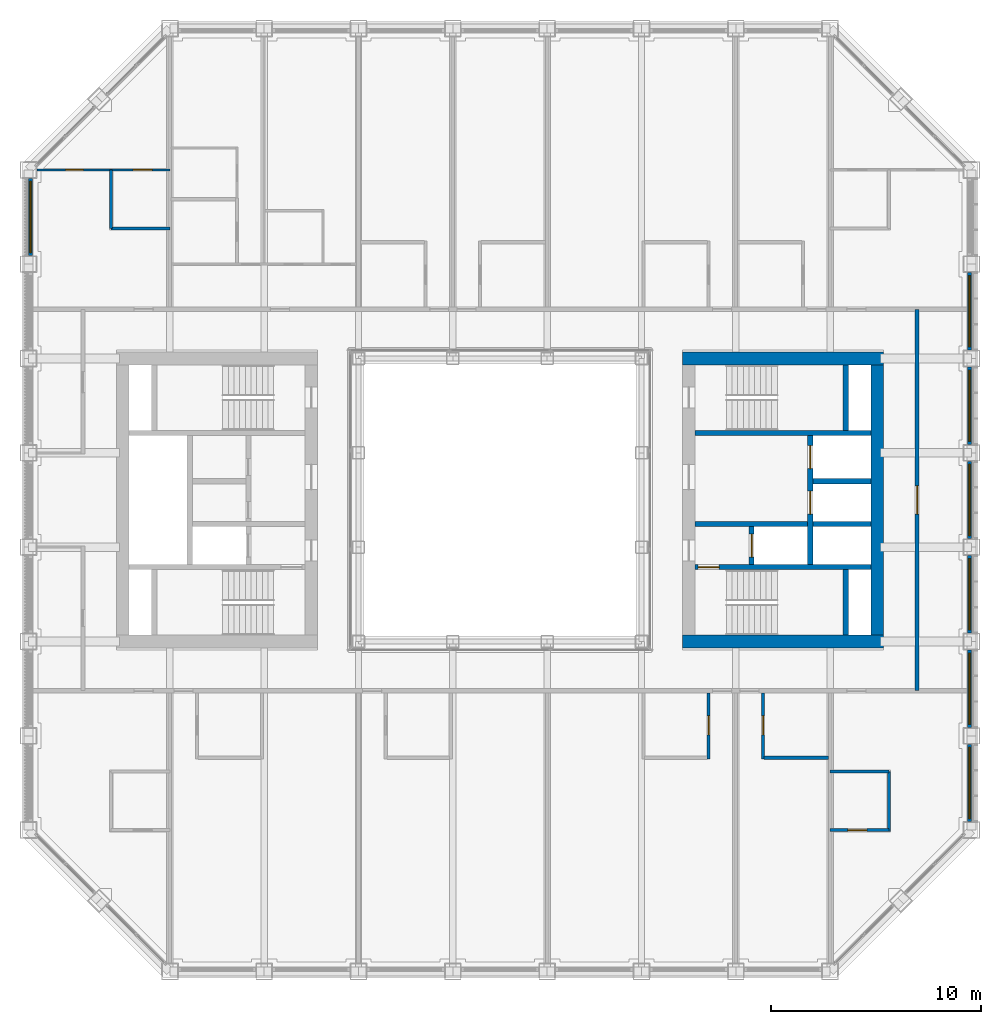
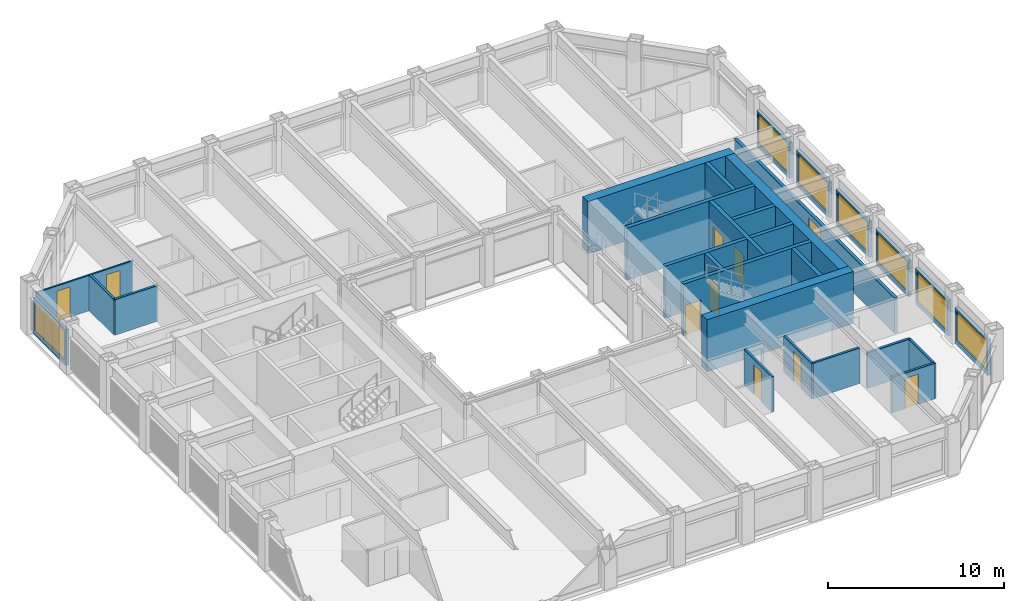
# One storey, part 12 of 17: 29 walls, 10 doors, 7 windows, 17 openings.
"""IFC4 building model written with IfcOpenShell, lengths in metres."""

from ifc_helpers import new_model, si_unit, direction, frame, frame_2d, origin, place, context, subcontext, project, spatial, rectangle, extrude, material, layer, layer_set, type_object, element, fill, save


model = new_model("IFC4")

# Units and contexts
model_context = context("Model", 3, precision=1e-05, world=origin(), true_north=direction((0.0, 1.0)))
body_context = subcontext(model_context, "Body", "Model", "MODEL_VIEW")
ifc_project = project(units=[si_unit("LENGTHUNIT", "METRE"), si_unit("AREAUNIT", "SQUARE_METRE"), si_unit("VOLUMEUNIT", "CUBIC_METRE"), si_unit("PLANEANGLEUNIT", "RADIAN"), si_unit("MASSUNIT", "GRAM", prefix="KILO")], contexts=[model_context])

# Site, building, storey
site_placement = place(None, origin())
site = spatial("IfcSite", under=ifc_project, at=site_placement, CompositionType="ELEMENT")
building_placement = place(site_placement, origin())
building = spatial("IfcBuilding", under=site, at=building_placement, Name="Msasa Ring Tower", CompositionType="ELEMENT")
storey_placement = place(building_placement, frame((0.0, 0.0, 172.39990234375)))
storey = spatial("IfcBuildingStorey", under=building, at=storey_placement, Name="L45", CompositionType="ELEMENT", Elevation=172.39990234375)

# Walls
ifc_material_1 = material(Name="Concrete C60/75", Category="concrete")
ifc_layer_1 = layer(ifc_material_1, 0.60009765625)
ifc_layer_set_1 = layer_set([ifc_layer_1], Name="CW2 CORE WALL 600")
wall_type_1 = type_object("IfcWallType", Name="CW2 CORE WALL 600", PredefinedType="SHEAR", material=ifc_layer_set_1)
for number, where, z_axis, x_axis, name in (
    (1, (8.699951171875, -6.75, 0.0), (0.0, 0.0, 1.0), (1.0, 0.0, 0.0), "E core wall S L45"),
    (2, (8.699951171875, 6.75, 0.0), (0.0, 0.0, 1.0), (1.0, 0.0, 0.0), "E core wall N L45"),
):
    element("IfcWall", number, at=place(storey_placement, frame(where, z_axis=z_axis, x_axis=x_axis)), inside=storey, type_object=wall_type_1, Name=name, PredefinedType="SHEAR", context=body_context, shape_type="SweptSolid", body=[
        extrude(rectangle(XDim=9.60009765625, YDim=0.60009765625, at=frame_2d((4.800048828125, 0.0))), origin(), (0.0, 0.0, 1.0), 3.60009765625),
    ])
wall_1_placement = place(storey_placement, frame((18.0, -6.449951171875, 0.0), z_axis=(0.0, 0.0, 1.0), x_axis=(0.0, 1.0, 0.0)))
element("IfcWall", 3, at=wall_1_placement, inside=storey, type_object=wall_type_1, Name="E core wall E L45", PredefinedType="SHEAR", context=body_context, shape_type="SweptSolid", body=[
    extrude(rectangle(XDim=12.89990234375, YDim=0.60009765625, at=frame_2d((6.449951171875, 0.0))), origin(), (0.0, 0.0, 1.0), 3.60009765625),
])

# Wall, opening, door
ifc_material_2 = material(Name="Concrete C60/75", Category="concrete")
ifc_layer_2 = layer(ifc_material_2, 0.25)
ifc_layer_set_2 = layer_set([ifc_layer_2], Name="CW4 CORE INNER WALL 250")
wall_type_2 = type_object("IfcWallType", Name="CW4 CORE INNER WALL 250", PredefinedType="SHEAR", material=ifc_layer_set_2)
wall_2_placement = place(storey_placement, frame((9.300048828125, -3.199951171875, 0.0), z_axis=(0.0, 0.0, 1.0), x_axis=(1.0, 0.0, 0.0)))
wall_2 = element("IfcWall", 4, at=wall_2_placement, inside=storey, type_object=wall_type_2, Name="E core wall STAIRA L45", PredefinedType="SHEAR", context=body_context, shape_type="SweptSolid", body=[
    extrude(rectangle(XDim=8.39990234375, YDim=0.25, at=frame_2d((4.199951171875, 0.0))), origin(), (0.0, 0.0, 1.0), 3.60009765625),
])
opening_1_placement = place(wall_2_placement, frame((0.14990234375, 0.0, 0.0)))
opening_1 = element("IfcOpeningElement", 5, at=opening_1_placement, cuts=wall_2, Name="Opening HF-032", PredefinedType="OPENING", context=body_context, shape_type="SweptSolid", body=[
    extrude(rectangle(XDim=1.0, YDim=2.10009765625, at=frame_2d((0.5, 1.050048828125))), frame((0.0, 0.135009765625, 0.0), z_axis=(0.0, -1.0, 0.0), x_axis=(1.0, 0.0, 0.0)), (0.0, 0.0, 1.0), 0.27001953125),
])
ifc_material_3 = material(Name="Timber door leaf in a steel frame", Category="steel")
door_type_1 = type_object("IfcDoorType", Name="D6 STAIR DOOR 1000x2100", OperationType="SINGLE_SWING_LEFT", PredefinedType="DOOR", material=ifc_material_3)
door_1_placement = place(opening_1_placement, origin())
door_1 = element("IfcDoor", 6, at=door_1_placement, inside=storey, type_object=door_type_1, Name="Door L45-ESTA", OperationType="SINGLE_SWING_LEFT", OverallHeight=2.10009765625, OverallWidth=1.0, PredefinedType="DOOR", context=body_context, shape_type="SweptSolid", body=[
    extrude(rectangle(XDim=1.0, YDim=2.10009765625, at=frame_2d((0.5, 1.050048828125))), frame((0.0, 0.02490234375, 0.0), z_axis=(0.0, -1.0, 0.0), x_axis=(1.0, 0.0, 0.0)), (0.0, 0.0, 1.0), 0.050048828125),
])
fill(opening_1, door_1)

# Walls
wall_3_placement = place(storey_placement, frame((9.300048828125, 3.199951171875, 0.0), z_axis=(0.0, 0.0, 1.0), x_axis=(1.0, 0.0, 0.0)))
element("IfcWall", 7, at=wall_3_placement, inside=storey, type_object=wall_type_2, Name="E core wall STAIRB L45", PredefinedType="SHEAR", context=body_context, shape_type="SweptSolid", body=[
    extrude(rectangle(XDim=8.39990234375, YDim=0.25, at=frame_2d((4.199951171875, 0.0))), origin(), (0.0, 0.0, 1.0), 3.60009765625),
])
for number, where, z_axis, x_axis, name in (
    (8, (16.5, -6.449951171875, 0.0), (0.0, 0.0, 1.0), (0.0, 1.0, 0.0), "E core wall RISERA L45"),
    (9, (16.5, 3.324951171875, 0.0), (0.0, 0.0, 1.0), (0.0, 1.0, 0.0), "E core wall RISERB L45"),
):
    element("IfcWall", number, at=place(storey_placement, frame(where, z_axis=z_axis, x_axis=x_axis)), inside=storey, type_object=wall_type_2, Name=name, PredefinedType="SHEAR", context=body_context, shape_type="SweptSolid", body=[
        extrude(rectangle(XDim=3.125, YDim=0.25, at=frame_2d((1.5625, 0.0))), origin(), (0.0, 0.0, 1.0), 3.60009765625),
    ])
wall_4_placement = place(storey_placement, frame((9.300048828125, -1.14990234375, 0.0), z_axis=(0.0, 0.0, 1.0), x_axis=(1.0, 0.0, 0.0)))
element("IfcWall", 10, at=wall_4_placement, inside=storey, type_object=wall_type_2, Name="E core wall FFL L45", PredefinedType="SHEAR", context=body_context, shape_type="SweptSolid", body=[
    extrude(rectangle(XDim=5.375, YDim=0.25, at=frame_2d((2.6875, 0.0))), origin(), (0.0, 0.0, 1.0), 3.60009765625),
])

# Wall, opening, door
wall_5_placement = place(storey_placement, frame((12.0, -3.074951171875, 0.0), z_axis=(0.0, 0.0, 1.0), x_axis=(0.0, 1.0, 0.0)))
wall_5 = element("IfcWall", 11, at=wall_5_placement, inside=storey, type_object=wall_type_2, Name="E core wall LOBBY L45", PredefinedType="SHEAR", context=body_context, shape_type="SweptSolid", body=[
    extrude(rectangle(XDim=1.800048828125, YDim=0.25, at=frame_2d((0.89990234375, 0.0))), origin(), (0.0, 0.0, 1.0), 3.60009765625),
])
opening_2_placement = place(wall_5_placement, frame((0.35009765625, 0.0, 0.0)))
opening_2 = element("IfcOpeningElement", 12, at=opening_2_placement, cuts=wall_5, Name="Opening LD1", PredefinedType="OPENING", context=body_context, shape_type="SweptSolid", body=[
    extrude(rectangle(XDim=1.10009765625, YDim=2.10009765625, at=frame_2d((0.550048828125, 1.050048828125))), frame((0.0, 0.135009765625, 0.0), z_axis=(0.0, -1.0, 0.0), x_axis=(1.0, 0.0, 0.0)), (0.0, 0.0, 1.0), 0.27001953125),
])
ifc_material_4 = material(Name="Stainless steel lift landing door", Category="steel")
door_type_2 = type_object("IfcDoorType", Name="LD1 LIFT LANDING DOOR 1100x2100", OperationType="DOUBLE_DOOR_SLIDING", PredefinedType="DOOR", material=ifc_material_4)
door_2_placement = place(opening_2_placement, origin())
door_2 = element("IfcDoor", 13, at=door_2_placement, inside=storey, type_object=door_type_2, Name="Lift landing door FL-E L45", OperationType="DOUBLE_DOOR_SLIDING", OverallHeight=2.10009765625, OverallWidth=1.10009765625, PredefinedType="DOOR", context=body_context, shape_type="SweptSolid", body=[
    extrude(rectangle(XDim=1.10009765625, YDim=2.10009765625, at=frame_2d((0.550048828125, 1.050048828125))), frame((0.0, 0.02490234375, 0.0), z_axis=(0.0, -1.0, 0.0), x_axis=(1.0, 0.0, 0.0)), (0.0, 0.0, 1.0), 0.050048828125),
])
fill(opening_2, door_2)

# Wall, openings, doors
wall_6_placement = place(storey_placement, frame((14.800048828125, -3.074951171875, 0.0), z_axis=(0.0, 0.0, 1.0), x_axis=(0.0, 1.0, 0.0)))
wall_6 = element("IfcWall", 14, at=wall_6_placement, inside=storey, type_object=wall_type_2, Name="E core wall SHAFT L45", PredefinedType="SHEAR", context=body_context, shape_type="SweptSolid", body=[
    extrude(rectangle(XDim=6.14990234375, YDim=0.25, at=frame_2d((3.074951171875, 0.0))), origin(), (0.0, 0.0, 1.0), 3.60009765625),
])
opening_3_placement = place(wall_6_placement, frame((2.39990234375, 0.0, 0.0)))
opening_3 = element("IfcOpeningElement", 15, at=opening_3_placement, cuts=wall_6, Name="Opening LD1", PredefinedType="OPENING", context=body_context, shape_type="SweptSolid", body=[
    extrude(rectangle(XDim=1.10009765625, YDim=2.10009765625, at=frame_2d((0.550048828125, 1.050048828125))), frame((0.0, 0.135009765625, 0.0), z_axis=(0.0, -1.0, 0.0), x_axis=(1.0, 0.0, 0.0)), (0.0, 0.0, 1.0), 0.27001953125),
])
opening_4_placement = place(wall_6_placement, frame((4.574951171875, 0.0, 0.0)))
opening_4 = element("IfcOpeningElement", 16, at=opening_4_placement, cuts=wall_6, Name="Opening LD1", PredefinedType="OPENING", context=body_context, shape_type="SweptSolid", body=[
    extrude(rectangle(XDim=1.10009765625, YDim=2.10009765625, at=frame_2d((0.550048828125, 1.050048828125))), frame((0.0, 0.135009765625, 0.0), z_axis=(0.0, -1.0, 0.0), x_axis=(1.0, 0.0, 0.0)), (0.0, 0.0, 1.0), 0.27001953125),
])
door_3_placement = place(opening_3_placement, origin())
door_3 = element("IfcDoor", 17, at=door_3_placement, inside=storey, type_object=door_type_2, Name="Lift landing door PL-H1 L45", OperationType="DOUBLE_DOOR_SLIDING", OverallHeight=2.10009765625, OverallWidth=1.10009765625, PredefinedType="DOOR", context=body_context, shape_type="SweptSolid", body=[
    extrude(rectangle(XDim=1.10009765625, YDim=2.10009765625, at=frame_2d((0.550048828125, 1.050048828125))), frame((0.0, 0.02490234375, 0.0), z_axis=(0.0, -1.0, 0.0), x_axis=(1.0, 0.0, 0.0)), (0.0, 0.0, 1.0), 0.050048828125),
])
fill(opening_3, door_3)
door_4_placement = place(opening_4_placement, origin())
door_4 = element("IfcDoor", 18, at=door_4_placement, inside=storey, type_object=door_type_2, Name="Lift landing door PL-H2 L45", OperationType="DOUBLE_DOOR_SLIDING", OverallHeight=2.10009765625, OverallWidth=1.10009765625, PredefinedType="DOOR", context=body_context, shape_type="SweptSolid", body=[
    extrude(rectangle(XDim=1.10009765625, YDim=2.10009765625, at=frame_2d((0.550048828125, 1.050048828125))), frame((0.0, 0.02490234375, 0.0), z_axis=(0.0, -1.0, 0.0), x_axis=(1.0, 0.0, 0.0)), (0.0, 0.0, 1.0), 0.050048828125),
])
fill(opening_4, door_4)

# Walls
for number, where, z_axis, x_axis, name in (
    (19, (14.925048828125, -1.14990234375, 0.0), (0.0, 0.0, 1.0), (1.0, 0.0, 0.0), "E core wall HSEP L45"),
    (20, (14.925048828125, 0.89990234375, 0.0), (0.0, 0.0, 1.0), (1.0, 0.0, 0.0), "E core wall HLIFT L45"),
):
    element("IfcWall", number, at=place(storey_placement, frame(where, z_axis=z_axis, x_axis=x_axis)), inside=storey, type_object=wall_type_2, Name=name, PredefinedType="SHEAR", context=body_context, shape_type="SweptSolid", body=[
        extrude(rectangle(XDim=2.77490234375, YDim=0.25, at=frame_2d((1.387451171875, 0.0))), origin(), (0.0, 0.0, 1.0), 3.60009765625),
    ])

# Wall, opening, window
ifc_material_5 = material(Name="Terracotta rainscreen on blockwork", Category="masonry")
ifc_layer_3 = layer(ifc_material_5, 0.199951171875)
ifc_layer_set_3 = layer_set([ifc_layer_3], Name="FW1 TERRACOTTA-LINED INFILL BAY WALL 200")
wall_type_3 = type_object("IfcWallType", Name="FW1 TERRACOTTA-LINED INFILL BAY WALL 200", PredefinedType="SOLIDWALL", material=ifc_layer_set_3)
wall_7_placement = place(storey_placement, frame((22.39990234375, -15.344970703125, 0.0), z_axis=(0.0, 0.0, 1.0), x_axis=(0.0, 1.0, 0.0)))
wall_7 = element("IfcWall", 21, at=wall_7_placement, inside=storey, type_object=wall_type_3, Name="Infill bay wall E L45 09", PredefinedType="SOLIDWALL", context=body_context, shape_type="SweptSolid", body=[
    extrude(rectangle(XDim=3.68994140625, YDim=0.199951171875, at=frame_2d((1.844970703125, 0.0))), origin(), (0.0, 0.0, 1.0), 2.47900390625),
])
opening_5_placement = place(wall_7_placement, frame((0.14501953125, 0.0, 0.300048828125)))
opening_5 = element("IfcOpeningElement", 22, at=opening_5_placement, cuts=wall_7, Name="Opening WN2", PredefinedType="OPENING", context=body_context, shape_type="SweptSolid", body=[
    extrude(rectangle(XDim=3.39990234375, YDim=2.029052734375, at=frame_2d((1.699951171875, 1.0146484375))), frame((0.0, 0.10986328125, 0.0), z_axis=(0.0, -1.0, 0.0), x_axis=(1.0, 0.0, 0.0)), (0.0, 0.0, 1.0), 0.219970703125),
])
ifc_material_6 = material(Name="Aluminium frame with clear glass", Category="aluminium")
window_type = type_object("IfcWindowType", Name="WN2 GUEST ROOM WINDOW 3400x2029", PartitioningType="SINGLE_PANEL", PredefinedType="WINDOW", material=ifc_material_6)
window_1_placement = place(opening_5_placement, origin())
window_1 = element("IfcWindow", 23, at=window_1_placement, inside=storey, type_object=window_type, Name="Window E L45 09", OverallHeight=2.029052734375, OverallWidth=3.39990234375, PartitioningType="SINGLE_PANEL", PredefinedType="WINDOW", context=body_context, shape_type="SweptSolid", body=[
    extrude(rectangle(XDim=3.39990234375, YDim=2.029052734375, at=frame_2d((1.699951171875, 1.0146484375))), frame((0.0, 0.030029296875, 0.0), z_axis=(0.0, -1.0, 0.0), x_axis=(1.0, 0.0, 0.0)), (0.0, 0.0, 1.0), 0.06005859375),
])
fill(opening_5, window_1)

wall_8_placement = place(storey_placement, frame((22.39990234375, -10.844970703125, 0.0), z_axis=(0.0, 0.0, 1.0), x_axis=(0.0, 1.0, 0.0)))
wall_8 = element("IfcWall", 24, at=wall_8_placement, inside=storey, type_object=wall_type_3, Name="Infill bay wall E L45 10", PredefinedType="SOLIDWALL", context=body_context, shape_type="SweptSolid", body=[
    extrude(rectangle(XDim=3.68994140625, YDim=0.199951171875, at=frame_2d((1.844970703125, 0.0))), origin(), (0.0, 0.0, 1.0), 2.47900390625),
])
opening_6_placement = place(wall_8_placement, frame((0.14501953125, 0.0, 0.300048828125)))
opening_6 = element("IfcOpeningElement", 25, at=opening_6_placement, cuts=wall_8, Name="Opening WN2", PredefinedType="OPENING", context=body_context, shape_type="SweptSolid", body=[
    extrude(rectangle(XDim=3.39990234375, YDim=2.029052734375, at=frame_2d((1.699951171875, 1.0146484375))), frame((0.0, 0.10986328125, 0.0), z_axis=(0.0, -1.0, 0.0), x_axis=(1.0, 0.0, 0.0)), (0.0, 0.0, 1.0), 0.219970703125),
])
window_2_placement = place(opening_6_placement, origin())
window_2 = element("IfcWindow", 26, at=window_2_placement, inside=storey, type_object=window_type, Name="Window E L45 10", OverallHeight=2.029052734375, OverallWidth=3.39990234375, PartitioningType="SINGLE_PANEL", PredefinedType="WINDOW", context=body_context, shape_type="SweptSolid", body=[
    extrude(rectangle(XDim=3.39990234375, YDim=2.029052734375, at=frame_2d((1.699951171875, 1.0146484375))), frame((0.0, 0.030029296875, 0.0), z_axis=(0.0, -1.0, 0.0), x_axis=(1.0, 0.0, 0.0)), (0.0, 0.0, 1.0), 0.06005859375),
])
fill(opening_6, window_2)

wall_9_placement = place(storey_placement, frame((22.39990234375, -6.344970703125, 0.0), z_axis=(0.0, 0.0, 1.0), x_axis=(0.0, 1.0, 0.0)))
wall_9 = element("IfcWall", 27, at=wall_9_placement, inside=storey, type_object=wall_type_3, Name="Infill bay wall E L45 11", PredefinedType="SOLIDWALL", context=body_context, shape_type="SweptSolid", body=[
    extrude(rectangle(XDim=3.68994140625, YDim=0.199951171875, at=frame_2d((1.844970703125, 0.0))), origin(), (0.0, 0.0, 1.0), 2.47900390625),
])
opening_7_placement = place(wall_9_placement, frame((0.14501953125, 0.0, 0.300048828125)))
opening_7 = element("IfcOpeningElement", 28, at=opening_7_placement, cuts=wall_9, Name="Opening WN2", PredefinedType="OPENING", context=body_context, shape_type="SweptSolid", body=[
    extrude(rectangle(XDim=3.39990234375, YDim=2.029052734375, at=frame_2d((1.699951171875, 1.0146484375))), frame((0.0, 0.10986328125, 0.0), z_axis=(0.0, -1.0, 0.0), x_axis=(1.0, 0.0, 0.0)), (0.0, 0.0, 1.0), 0.219970703125),
])
window_3_placement = place(opening_7_placement, origin())
window_3 = element("IfcWindow", 29, at=window_3_placement, inside=storey, type_object=window_type, Name="Window E L45 11", OverallHeight=2.029052734375, OverallWidth=3.39990234375, PartitioningType="SINGLE_PANEL", PredefinedType="WINDOW", context=body_context, shape_type="SweptSolid", body=[
    extrude(rectangle(XDim=3.39990234375, YDim=2.029052734375, at=frame_2d((1.699951171875, 1.0146484375))), frame((0.0, 0.030029296875, 0.0), z_axis=(0.0, -1.0, 0.0), x_axis=(1.0, 0.0, 0.0)), (0.0, 0.0, 1.0), 0.06005859375),
])
fill(opening_7, window_3)

wall_10_placement = place(storey_placement, frame((22.39990234375, -1.844970703125, 0.0), z_axis=(0.0, 0.0, 1.0), x_axis=(0.0, 1.0, 0.0)))
wall_10 = element("IfcWall", 30, at=wall_10_placement, inside=storey, type_object=wall_type_3, Name="Infill bay wall E L45 12", PredefinedType="SOLIDWALL", context=body_context, shape_type="SweptSolid", body=[
    extrude(rectangle(XDim=3.68994140625, YDim=0.199951171875, at=frame_2d((1.844970703125, 0.0))), origin(), (0.0, 0.0, 1.0), 2.47900390625),
])
opening_8_placement = place(wall_10_placement, frame((0.14501953125, 0.0, 0.300048828125)))
opening_8 = element("IfcOpeningElement", 31, at=opening_8_placement, cuts=wall_10, Name="Opening WN2", PredefinedType="OPENING", context=body_context, shape_type="SweptSolid", body=[
    extrude(rectangle(XDim=3.39990234375, YDim=2.029052734375, at=frame_2d((1.699951171875, 1.0146484375))), frame((0.0, 0.10986328125, 0.0), z_axis=(0.0, -1.0, 0.0), x_axis=(1.0, 0.0, 0.0)), (0.0, 0.0, 1.0), 0.219970703125),
])
window_4_placement = place(opening_8_placement, origin())
window_4 = element("IfcWindow", 32, at=window_4_placement, inside=storey, type_object=window_type, Name="Window E L45 12", OverallHeight=2.029052734375, OverallWidth=3.39990234375, PartitioningType="SINGLE_PANEL", PredefinedType="WINDOW", context=body_context, shape_type="SweptSolid", body=[
    extrude(rectangle(XDim=3.39990234375, YDim=2.029052734375, at=frame_2d((1.699951171875, 1.0146484375))), frame((0.0, 0.030029296875, 0.0), z_axis=(0.0, -1.0, 0.0), x_axis=(1.0, 0.0, 0.0)), (0.0, 0.0, 1.0), 0.06005859375),
])
fill(opening_8, window_4)

wall_11_placement = place(storey_placement, frame((22.39990234375, 2.655029296875, 0.0), z_axis=(0.0, 0.0, 1.0), x_axis=(0.0, 1.0, 0.0)))
wall_11 = element("IfcWall", 33, at=wall_11_placement, inside=storey, type_object=wall_type_3, Name="Infill bay wall E L45 13", PredefinedType="SOLIDWALL", context=body_context, shape_type="SweptSolid", body=[
    extrude(rectangle(XDim=3.68994140625, YDim=0.199951171875, at=frame_2d((1.844970703125, 0.0))), origin(), (0.0, 0.0, 1.0), 2.47900390625),
])
opening_9_placement = place(wall_11_placement, frame((0.14501953125, 0.0, 0.300048828125)))
opening_9 = element("IfcOpeningElement", 34, at=opening_9_placement, cuts=wall_11, Name="Opening WN2", PredefinedType="OPENING", context=body_context, shape_type="SweptSolid", body=[
    extrude(rectangle(XDim=3.39990234375, YDim=2.029052734375, at=frame_2d((1.699951171875, 1.0146484375))), frame((0.0, 0.10986328125, 0.0), z_axis=(0.0, -1.0, 0.0), x_axis=(1.0, 0.0, 0.0)), (0.0, 0.0, 1.0), 0.219970703125),
])
window_5_placement = place(opening_9_placement, origin())
window_5 = element("IfcWindow", 35, at=window_5_placement, inside=storey, type_object=window_type, Name="Window E L45 13", OverallHeight=2.029052734375, OverallWidth=3.39990234375, PartitioningType="SINGLE_PANEL", PredefinedType="WINDOW", context=body_context, shape_type="SweptSolid", body=[
    extrude(rectangle(XDim=3.39990234375, YDim=2.029052734375, at=frame_2d((1.699951171875, 1.0146484375))), frame((0.0, 0.030029296875, 0.0), z_axis=(0.0, -1.0, 0.0), x_axis=(1.0, 0.0, 0.0)), (0.0, 0.0, 1.0), 0.06005859375),
])
fill(opening_9, window_5)

wall_12_placement = place(storey_placement, frame((22.39990234375, 7.155029296875, 0.0), z_axis=(0.0, 0.0, 1.0), x_axis=(0.0, 1.0, 0.0)))
wall_12 = element("IfcWall", 36, at=wall_12_placement, inside=storey, type_object=wall_type_3, Name="Infill bay wall E L45 14", PredefinedType="SOLIDWALL", context=body_context, shape_type="SweptSolid", body=[
    extrude(rectangle(XDim=3.68994140625, YDim=0.199951171875, at=frame_2d((1.844970703125, 0.0))), origin(), (0.0, 0.0, 1.0), 2.47900390625),
])
opening_10_placement = place(wall_12_placement, frame((0.14501953125, 0.0, 0.300048828125)))
opening_10 = element("IfcOpeningElement", 37, at=opening_10_placement, cuts=wall_12, Name="Opening WN2", PredefinedType="OPENING", context=body_context, shape_type="SweptSolid", body=[
    extrude(rectangle(XDim=3.39990234375, YDim=2.029052734375, at=frame_2d((1.699951171875, 1.0146484375))), frame((0.0, 0.10986328125, 0.0), z_axis=(0.0, -1.0, 0.0), x_axis=(1.0, 0.0, 0.0)), (0.0, 0.0, 1.0), 0.219970703125),
])
window_6_placement = place(opening_10_placement, origin())
window_6 = element("IfcWindow", 38, at=window_6_placement, inside=storey, type_object=window_type, Name="Window E L45 14", OverallHeight=2.029052734375, OverallWidth=3.39990234375, PartitioningType="SINGLE_PANEL", PredefinedType="WINDOW", context=body_context, shape_type="SweptSolid", body=[
    extrude(rectangle(XDim=3.39990234375, YDim=2.029052734375, at=frame_2d((1.699951171875, 1.0146484375))), frame((0.0, 0.030029296875, 0.0), z_axis=(0.0, -1.0, 0.0), x_axis=(1.0, 0.0, 0.0)), (0.0, 0.0, 1.0), 0.06005859375),
])
fill(opening_10, window_6)

wall_13_placement = place(storey_placement, frame((-22.39990234375, 11.655029296875, 0.0), z_axis=(0.0, 0.0, 1.0), x_axis=(0.0, 1.0, 0.0)))
wall_13 = element("IfcWall", 39, at=wall_13_placement, inside=storey, type_object=wall_type_3, Name="Infill bay wall W L45 33", PredefinedType="SOLIDWALL", context=body_context, shape_type="SweptSolid", body=[
    extrude(rectangle(XDim=3.68994140625, YDim=0.199951171875, at=frame_2d((1.844970703125, 0.0))), origin(), (0.0, 0.0, 1.0), 2.47900390625),
])
opening_11_placement = place(wall_13_placement, frame((0.14501953125, 0.0, 0.300048828125)))
opening_11 = element("IfcOpeningElement", 40, at=opening_11_placement, cuts=wall_13, Name="Opening WN2", PredefinedType="OPENING", context=body_context, shape_type="SweptSolid", body=[
    extrude(rectangle(XDim=3.39990234375, YDim=2.029052734375, at=frame_2d((1.699951171875, 1.0146484375))), frame((0.0, 0.10986328125, 0.0), z_axis=(0.0, -1.0, 0.0), x_axis=(1.0, 0.0, 0.0)), (0.0, 0.0, 1.0), 0.219970703125),
])
window_7_placement = place(opening_11_placement, origin())
window_7 = element("IfcWindow", 41, at=window_7_placement, inside=storey, type_object=window_type, Name="Window W L45 33", OverallHeight=2.029052734375, OverallWidth=3.39990234375, PartitioningType="SINGLE_PANEL", PredefinedType="WINDOW", context=body_context, shape_type="SweptSolid", body=[
    extrude(rectangle(XDim=3.39990234375, YDim=2.029052734375, at=frame_2d((1.699951171875, 1.0146484375))), frame((0.0, 0.030029296875, 0.0), z_axis=(0.0, -1.0, 0.0), x_axis=(1.0, 0.0, 0.0)), (0.0, 0.0, 1.0), 0.06005859375),
])
fill(opening_11, window_7)

# Wall, opening, door
ifc_material_7 = material(Name="Concrete blockwork", Category="masonry")
ifc_layer_4 = layer(ifc_material_7, 0.199951171875)
ifc_layer_set_4 = layer_set([ifc_layer_4], Name="PT1 CORRIDOR WALL 200")
wall_type_4 = type_object("IfcWallType", Name="PT1 CORRIDOR WALL 200", PredefinedType="PARTITIONING", material=ifc_layer_set_4)
wall_14_placement = place(storey_placement, frame((19.89990234375, -9.10009765625, 0.0), z_axis=(0.0, 0.0, 1.0), x_axis=(0.0, 1.0, 0.0)))
wall_14 = element("IfcWall", 42, at=wall_14_placement, inside=storey, type_object=wall_type_4, Name="Corridor wall L45-STRE", PredefinedType="PARTITIONING", context=body_context, shape_type="SweptSolid", body=[
    extrude(rectangle(XDim=18.2001953125, YDim=0.199951171875, at=frame_2d((9.10009765625, 0.0))), origin(), (0.0, 0.0, 1.0), 2.473388671875),
])
opening_12_placement = place(wall_14_placement, frame((8.425048828125, 0.0, 0.0)))
opening_12 = element("IfcOpeningElement", 43, at=opening_12_placement, cuts=wall_14, Name="Opening HF-027", PredefinedType="OPENING", context=body_context, shape_type="SweptSolid", body=[
    extrude(rectangle(XDim=1.35009765625, YDim=2.10009765625, at=frame_2d((0.675048828125, 1.050048828125))), frame((0.0, 0.10986328125, 0.0), z_axis=(0.0, -1.0, 0.0), x_axis=(1.0, 0.0, 0.0)), (0.0, 0.0, 1.0), 0.219970703125),
])
ifc_material_8 = material(Name="Timber door leaf in a steel frame", Category="steel")
door_type_3 = type_object("IfcDoorType", Name="D23 HOUSEKEEPING UNEQUAL PAIR OF DOORS 1350x2100", OperationType="SINGLE_SWING_LEFT", PredefinedType="DOOR", material=ifc_material_8)
door_5_placement = place(opening_12_placement, origin())
door_5 = element("IfcDoor", 44, at=door_5_placement, inside=storey, type_object=door_type_3, Name="Door L45-HKE", OperationType="SINGLE_SWING_LEFT", OverallHeight=2.10009765625, OverallWidth=1.35009765625, PredefinedType="DOOR", context=body_context, shape_type="SweptSolid", body=[
    extrude(rectangle(XDim=1.35009765625, YDim=2.10009765625, at=frame_2d((0.675048828125, 1.050048828125))), frame((0.0, 0.02490234375, 0.0), z_axis=(0.0, -1.0, 0.0), x_axis=(1.0, 0.0, 0.0)), (0.0, 0.0, 1.0), 0.050048828125),
])
fill(opening_12, door_5)

# Wall, openings, doors
ifc_material_9 = material(Name="Gypsum board on steel studs", Category="steel")
ifc_layer_5 = layer(ifc_material_9, 0.10009765625)
ifc_layer_set_5 = layer_set([ifc_layer_5], Name="PT2 STUD PARTITION 100")
wall_type_5 = type_object("IfcWallType", Name="PT2 STUD PARTITION 100", PredefinedType="PARTITIONING", material=ifc_layer_set_5)
wall_15_placement = place(storey_placement, frame((-22.10009765625, 15.75, 0.0), z_axis=(0.0, 0.0, 1.0), x_axis=(1.0, 0.0, 0.0)))
wall_15 = element("IfcWall", 45, at=wall_15_placement, inside=storey, type_object=wall_type_5, Name="Partition L45-CSNWX", PredefinedType="PARTITIONING", context=body_context, shape_type="SweptSolid", body=[
    extrude(rectangle(XDim=6.35009765625, YDim=0.10009765625, at=frame_2d((3.175048828125, 0.0))), origin(), (0.0, 0.0, 1.0), 2.473388671875),
])
opening_13_placement = place(wall_15_placement, frame((1.375, 0.0, 0.0)))
opening_13 = element("IfcOpeningElement", 46, at=opening_13_placement, cuts=wall_15, Name="Opening HF-001", PredefinedType="OPENING", context=body_context, shape_type="SweptSolid", body=[
    extrude(rectangle(XDim=0.85009765625, YDim=2.10009765625, at=frame_2d((0.425048828125, 1.050048828125))), frame((0.0, 0.06005859375, 0.0), z_axis=(0.0, -1.0, 0.0), x_axis=(1.0, 0.0, 0.0)), (0.0, 0.0, 1.0), 0.1201171875),
])
opening_14_placement = place(wall_15_placement, frame((4.60009765625, 0.0, 0.0)))
opening_14 = element("IfcOpeningElement", 47, at=opening_14_placement, cuts=wall_15, Name="Opening HF-002", PredefinedType="OPENING", context=body_context, shape_type="SweptSolid", body=[
    extrude(rectangle(XDim=0.89990234375, YDim=2.10009765625, at=frame_2d((0.449951171875, 1.050048828125))), frame((0.0, 0.06005859375, 0.0), z_axis=(0.0, -1.0, 0.0), x_axis=(1.0, 0.0, 0.0)), (0.0, 0.0, 1.0), 0.1201171875),
])
ifc_material_10 = material(Name="Timber door leaf in a steel frame", Category="steel")
door_type_4 = type_object("IfcDoorType", Name="D14 BEDROOM DOOR 850x2100", OperationType="SINGLE_SWING_LEFT", PredefinedType="DOOR", material=ifc_material_10)
door_6_placement = place(opening_13_placement, origin())
door_6 = element("IfcDoor", 48, at=door_6_placement, inside=storey, type_object=door_type_4, Name="Door L45-CSNWR1", OperationType="SINGLE_SWING_LEFT", OverallHeight=2.10009765625, OverallWidth=0.85009765625, PredefinedType="DOOR", context=body_context, shape_type="SweptSolid", body=[
    extrude(rectangle(XDim=0.85009765625, YDim=2.10009765625, at=frame_2d((0.425048828125, 1.050048828125))), frame((0.0, 0.02490234375, 0.0), z_axis=(0.0, -1.0, 0.0), x_axis=(1.0, 0.0, 0.0)), (0.0, 0.0, 1.0), 0.050048828125),
])
fill(opening_13, door_6)
ifc_material_11 = material(Name="Timber door leaf in a steel frame", Category="steel")
door_type_5 = type_object("IfcDoorType", Name="D3 BATHROOM DOOR 900x2100", OperationType="SINGLE_SWING_LEFT", PredefinedType="DOOR", material=ifc_material_11)
door_7_placement = place(opening_14_placement, origin())
door_7 = element("IfcDoor", 49, at=door_7_placement, inside=storey, type_object=door_type_5, Name="Door L45-CSNWB1", OperationType="SINGLE_SWING_RIGHT", OverallHeight=2.10009765625, OverallWidth=0.89990234375, PredefinedType="DOOR", context=body_context, shape_type="SweptSolid", body=[
    extrude(rectangle(XDim=0.89990234375, YDim=2.10009765625, at=frame_2d((0.449951171875, 1.050048828125))), frame((0.0, 0.02490234375, 0.0), z_axis=(0.0, -1.0, 0.0), x_axis=(1.0, 0.0, 0.0)), (0.0, 0.0, 1.0), 0.050048828125),
])
fill(opening_14, door_7)

# Walls
ifc_material_12 = material(Name="Moisture-resistant board on steel studs with a concealed cistern and pipe void, tiled", Category="steel")
ifc_layer_6 = layer(ifc_material_12, 0.14990234375)
ifc_layer_set_6 = layer_set([ifc_layer_6], Name="PT4 BATHROOM WET WALL 150")
wall_type_6 = type_object("IfcWallType", Name="PT4 BATHROOM WET WALL 150", PredefinedType="PARTITIONING", material=ifc_layer_set_6)
for number, where, z_axis, x_axis, name in (
    (50, (-18.550048828125, 12.949951171875, 0.0), (0.0, 0.0, 1.0), (0.0, 1.0, 0.0), "Partition L45-CSNWBX"),
    (51, (-18.550048828125, 12.949951171875, 0.0), (0.0, 0.0, 1.0), (1.0, 0.0, 0.0), "Partition L45-CSNWBY"),
):
    element("IfcWall", number, at=place(storey_placement, frame(where, z_axis=z_axis, x_axis=x_axis)), inside=storey, type_object=wall_type_6, Name=name, PredefinedType="PARTITIONING", context=body_context, shape_type="SweptSolid", body=[
        extrude(rectangle(XDim=2.800048828125, YDim=0.14990234375, at=frame_2d((1.39990234375, 0.0))), origin(), (0.0, 0.0, 1.0), 2.473388671875),
    ])

# Wall, opening, door
wall_16_placement = place(storey_placement, frame((9.949951171875, -12.35009765625, 0.0), z_axis=(0.0, 0.0, 1.0), x_axis=(0.0, 1.0, 0.0)))
wall_16 = element("IfcWall", 52, at=wall_16_placement, inside=storey, type_object=wall_type_6, Name="Partition L45-GS02BX", PredefinedType="PARTITIONING", context=body_context, shape_type="SweptSolid", body=[
    extrude(rectangle(XDim=3.150146484375, YDim=0.14990234375, at=frame_2d((1.5751953125, 0.0))), origin(), (0.0, 0.0, 1.0), 2.473388671875),
])
opening_15_placement = place(wall_16_placement, frame((1.14990234375, 0.0, 0.0)))
opening_15 = element("IfcOpeningElement", 53, at=opening_15_placement, cuts=wall_16, Name="Opening HF-042", PredefinedType="OPENING", context=body_context, shape_type="SweptSolid", body=[
    extrude(rectangle(XDim=0.89990234375, YDim=2.10009765625, at=frame_2d((0.449951171875, 1.050048828125))), frame((0.0, 0.0849609375, 0.0), z_axis=(0.0, -1.0, 0.0), x_axis=(1.0, 0.0, 0.0)), (0.0, 0.0, 1.0), 0.169921875),
])
door_8_placement = place(opening_15_placement, origin())
door_8 = element("IfcDoor", 54, at=door_8_placement, inside=storey, type_object=door_type_5, Name="Door L45-GS02B", OperationType="SINGLE_SWING_LEFT", OverallHeight=2.10009765625, OverallWidth=0.89990234375, PredefinedType="DOOR", context=body_context, shape_type="SweptSolid", body=[
    extrude(rectangle(XDim=0.89990234375, YDim=2.10009765625, at=frame_2d((0.449951171875, 1.050048828125))), frame((0.0, 0.02490234375, 0.0), z_axis=(0.0, -1.0, 0.0), x_axis=(1.0, 0.0, 0.0)), (0.0, 0.0, 1.0), 0.050048828125),
])
fill(opening_15, door_8)

wall_17_placement = place(storey_placement, frame((12.550048828125, -12.35009765625, 0.0), z_axis=(0.0, 0.0, 1.0), x_axis=(0.0, 1.0, 0.0)))
wall_17 = element("IfcWall", 55, at=wall_17_placement, inside=storey, type_object=wall_type_6, Name="Partition L45-GS03BX", PredefinedType="PARTITIONING", context=body_context, shape_type="SweptSolid", body=[
    extrude(rectangle(XDim=3.150146484375, YDim=0.14990234375, at=frame_2d((1.5751953125, 0.0))), origin(), (0.0, 0.0, 1.0), 2.473388671875),
])
opening_16_placement = place(wall_17_placement, frame((1.14990234375, 0.0, 0.0)))
opening_16 = element("IfcOpeningElement", 56, at=opening_16_placement, cuts=wall_17, Name="Opening HF-043", PredefinedType="OPENING", context=body_context, shape_type="SweptSolid", body=[
    extrude(rectangle(XDim=0.89990234375, YDim=2.10009765625, at=frame_2d((0.449951171875, 1.050048828125))), frame((0.0, 0.0849609375, 0.0), z_axis=(0.0, -1.0, 0.0), x_axis=(1.0, 0.0, 0.0)), (0.0, 0.0, 1.0), 0.169921875),
])
door_9_placement = place(opening_16_placement, origin())
door_9 = element("IfcDoor", 57, at=door_9_placement, inside=storey, type_object=door_type_5, Name="Door L45-GS03B", OperationType="SINGLE_SWING_LEFT", OverallHeight=2.10009765625, OverallWidth=0.89990234375, PredefinedType="DOOR", context=body_context, shape_type="SweptSolid", body=[
    extrude(rectangle(XDim=0.89990234375, YDim=2.10009765625, at=frame_2d((0.449951171875, 1.050048828125))), frame((0.0, 0.02490234375, 0.0), z_axis=(0.0, -1.0, 0.0), x_axis=(1.0, 0.0, 0.0)), (0.0, 0.0, 1.0), 0.050048828125),
])
fill(opening_16, door_9)

# Walls
wall_18_placement = place(storey_placement, frame((12.60009765625, -12.300048828125, 0.0), z_axis=(0.0, 0.0, 1.0), x_axis=(1.0, 0.0, 0.0)))
element("IfcWall", 58, at=wall_18_placement, inside=storey, type_object=wall_type_6, Name="Partition L45-GS03BY", PredefinedType="PARTITIONING", context=body_context, shape_type="SweptSolid", body=[
    extrude(rectangle(XDim=3.0625, YDim=0.14990234375, at=frame_2d((1.53125, 0.0))), origin(), (0.0, 0.0, 1.0), 2.473388671875),
])
wall_19_placement = place(storey_placement, frame((18.550048828125, -15.824951171875, 0.0), z_axis=(0.0, 0.0, 1.0), x_axis=(0.0, 1.0, 0.0)))
element("IfcWall", 59, at=wall_19_placement, inside=storey, type_object=wall_type_6, Name="Partition L45-CSSEBX", PredefinedType="PARTITIONING", context=body_context, shape_type="SweptSolid", body=[
    extrude(rectangle(XDim=2.875, YDim=0.14990234375, at=frame_2d((1.4375, 0.0))), origin(), (0.0, 0.0, 1.0), 2.473388671875),
])
wall_20_placement = place(storey_placement, frame((15.75, -12.949951171875, 0.0), z_axis=(0.0, 0.0, 1.0), x_axis=(1.0, 0.0, 0.0)))
element("IfcWall", 60, at=wall_20_placement, inside=storey, type_object=wall_type_6, Name="Partition L45-CSSEBY", PredefinedType="PARTITIONING", context=body_context, shape_type="SweptSolid", body=[
    extrude(rectangle(XDim=2.800048828125, YDim=0.14990234375, at=frame_2d((1.39990234375, 0.0))), origin(), (0.0, 0.0, 1.0), 2.473388671875),
])

# Wall, opening, door
wall_21_placement = place(storey_placement, frame((15.75, -15.75, 0.0), z_axis=(0.0, 0.0, 1.0), x_axis=(1.0, 0.0, 0.0)))
wall_21 = element("IfcWall", 61, at=wall_21_placement, inside=storey, type_object=wall_type_6, Name="Partition L45-CSSEBZ", PredefinedType="PARTITIONING", context=body_context, shape_type="SweptSolid", body=[
    extrude(rectangle(XDim=2.800048828125, YDim=0.14990234375, at=frame_2d((1.39990234375, 0.0))), origin(), (0.0, 0.0, 1.0), 2.473388671875),
])
opening_17_placement = place(wall_21_placement, frame((0.85009765625, 0.0, 0.0)))
opening_17 = element("IfcOpeningElement", 62, at=opening_17_placement, cuts=wall_21, Name="Opening HF-045", PredefinedType="OPENING", context=body_context, shape_type="SweptSolid", body=[
    extrude(rectangle(XDim=0.89990234375, YDim=2.10009765625, at=frame_2d((0.449951171875, 1.050048828125))), frame((0.0, 0.0849609375, 0.0), z_axis=(0.0, -1.0, 0.0), x_axis=(1.0, 0.0, 0.0)), (0.0, 0.0, 1.0), 0.169921875),
])
door_10_placement = place(opening_17_placement, origin())
door_10 = element("IfcDoor", 63, at=door_10_placement, inside=storey, type_object=door_type_5, Name="Door L45-CSSEB1", OperationType="SINGLE_SWING_LEFT", OverallHeight=2.10009765625, OverallWidth=0.89990234375, PredefinedType="DOOR", context=body_context, shape_type="SweptSolid", body=[
    extrude(rectangle(XDim=0.89990234375, YDim=2.10009765625, at=frame_2d((0.449951171875, 1.050048828125))), frame((0.0, 0.02490234375, 0.0), z_axis=(0.0, -1.0, 0.0), x_axis=(1.0, 0.0, 0.0)), (0.0, 0.0, 1.0), 0.050048828125),
])
fill(opening_17, door_10)

save(model, "model.ifc")
